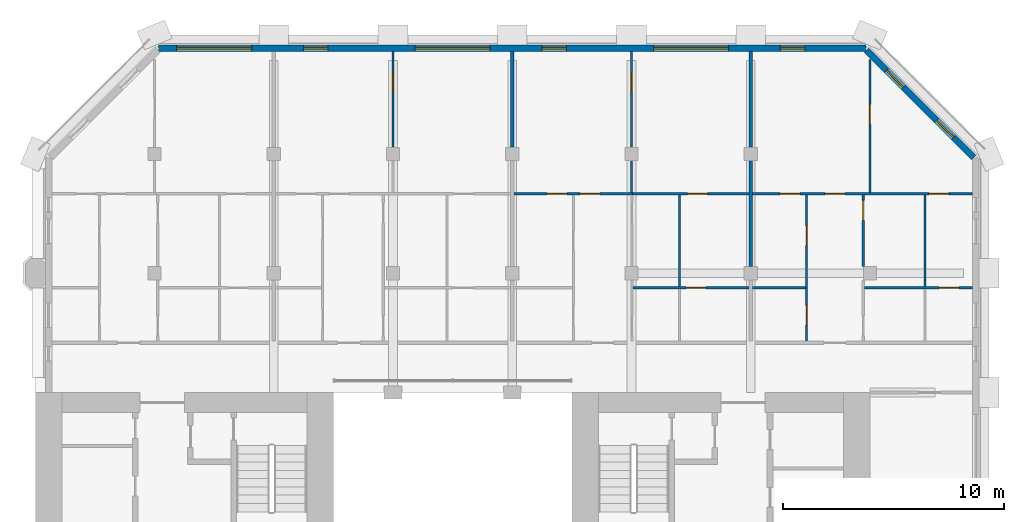
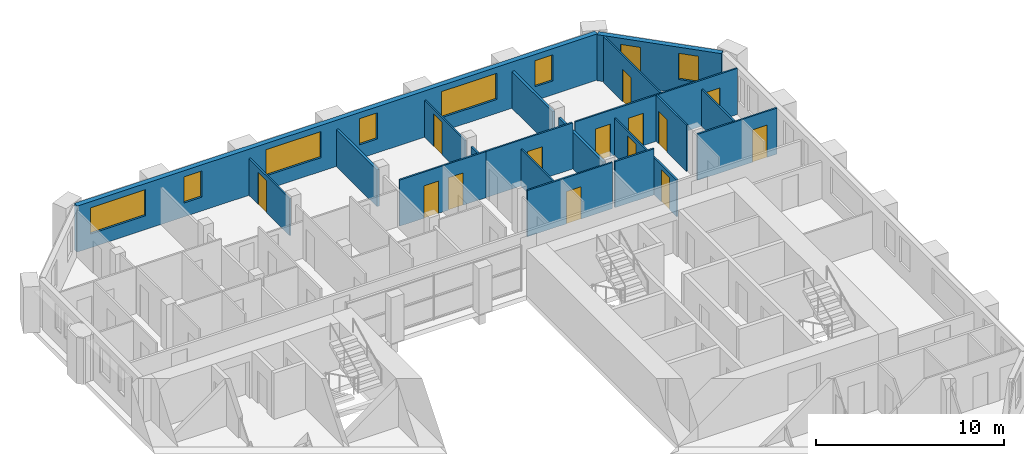
# One storey, part 9 of 13: 19 walls, 14 doors, 8 windows, 22 openings.
"""IFC4 building model written with IfcOpenShell, lengths in metres."""

from ifc_helpers import new_model, si_unit, direction, frame, frame_2d, origin, place, context, subcontext, project, spatial, rectangle, extrude, material, layer, layer_set, type_object, element, fill, save


model = new_model("IFC4")

# Units and contexts
model_context = context("Model", 3, precision=1e-05, world=origin(), true_north=direction((0.0, 1.0)))
body_context = subcontext(model_context, "Body", "Model", "MODEL_VIEW")
ifc_project = project(units=[si_unit("LENGTHUNIT", "METRE"), si_unit("AREAUNIT", "SQUARE_METRE"), si_unit("VOLUMEUNIT", "CUBIC_METRE"), si_unit("PLANEANGLEUNIT", "RADIAN"), si_unit("MASSUNIT", "GRAM", prefix="KILO")], contexts=[model_context])

# Site, building, storey
site_placement = place(None, origin())
site = spatial("IfcSite", under=ifc_project, at=site_placement, CompositionType="ELEMENT")
building_placement = place(site_placement, origin())
building = spatial("IfcBuilding", under=site, at=building_placement, Name="Tabaq Tower and Sports Hall", CompositionType="ELEMENT")
storey_placement = place(building_placement, frame((0.0, 0.0, 291.699951171875)))
storey = spatial("IfcBuildingStorey", under=building, at=storey_placement, Name="L72", CompositionType="ELEMENT", Elevation=291.699951171875)

# Wall, opening, door
ifc_material_1 = material(Name="Gypsum board on steel studs", Category="steel")
ifc_layer_1 = layer(ifc_material_1, 0.10009765625)
ifc_layer_set_1 = layer_set([ifc_layer_1], Name="Partition 100 Gypsum board")
wall_type_1 = type_object("IfcWallType", Name="Partition 100 Gypsum board", PredefinedType="PARTITIONING", material=ifc_layer_set_1)
wall_1_placement = place(storey_placement, frame((21.60009765625, 43.52001953125, 0.0), z_axis=(0.0, 0.0, 1.0), x_axis=(0.0, 1.0, 0.0)))
wall_1 = element("IfcWall", 1, at=wall_1_placement, inside=storey, type_object=wall_type_1, Name="Partition wall L72", PredefinedType="PARTITIONING", context=body_context, shape_type="SweptSolid", body=[
    extrude(rectangle(XDim=4.3291015625, YDim=0.10009765625, at=frame_2d((2.16455078125, 0.0))), origin(), (0.0, 0.0, 1.0), 2.400146484375),
])
opening_1_placement = place(wall_1_placement, frame((2.455078125, 0.0, 0.0)))
opening_1 = element("IfcOpeningElement", 2, at=opening_1_placement, cuts=wall_1, Name="Opening L72-035", PredefinedType="OPENING", context=body_context, shape_type="SweptSolid", body=[
    extrude(rectangle(XDim=0.89990234375, YDim=2.10009765625, at=frame_2d((0.449951171875, 1.050048828125))), frame((0.0, 0.050048828125, 0.0), z_axis=(0.0, -1.0, 0.0), x_axis=(1.0, 0.0, 0.0)), (0.0, 0.0, 1.0), 0.10009765625),
])
ifc_material_2 = material(Name="Timber leaf in steel frame", Category="steel")
door_type_1 = type_object("IfcDoorType", Name="Internal door 900 left hand", OperationType="SINGLE_SWING_LEFT", PredefinedType="DOOR", material=ifc_material_2)
door_1_placement = place(opening_1_placement, origin())
door_1 = element("IfcDoor", 3, at=door_1_placement, inside=storey, type_object=door_type_1, Name="Internal door L72-035", OperationType="SINGLE_SWING_LEFT", OverallHeight=2.10009765625, OverallWidth=0.89990234375, PredefinedType="DOOR", context=body_context, shape_type="SweptSolid", body=[
    extrude(rectangle(XDim=0.89990234375, YDim=2.10009765625, at=frame_2d((0.449951171875, 1.050048828125))), frame((0.0, 0.02490234375, 0.0), z_axis=(0.0, -1.0, 0.0), x_axis=(1.0, 0.0, 0.0)), (0.0, 0.0, 1.0), 0.050048828125),
])
fill(opening_1, door_1)

# Wall, openings, doors
wall_2_placement = place(storey_placement, frame((27.074951171875, 41.39990234375, 0.0), z_axis=(0.0, 0.0, 1.0), x_axis=(1.0, 0.0, 0.0)))
wall_2 = element("IfcWall", 4, at=wall_2_placement, inside=storey, type_object=wall_type_1, Name="Partition wall L72", PredefinedType="PARTITIONING", context=body_context, shape_type="SweptSolid", body=[
    extrude(rectangle(XDim=5.375, YDim=0.10009765625, at=frame_2d((2.6875, 0.0))), origin(), (0.0, 0.0, 1.0), 3.0),
])
opening_2_placement = place(wall_2_placement, frame((1.4951171875, 0.0, 0.0)))
opening_2 = element("IfcOpeningElement", 5, at=opening_2_placement, cuts=wall_2, Name="Opening L72-040", PredefinedType="OPENING", context=body_context, shape_type="SweptSolid", body=[
    extrude(rectangle(XDim=0.89990234375, YDim=2.10009765625, at=frame_2d((0.449951171875, 1.050048828125))), frame((0.0, 0.050048828125, 0.0), z_axis=(0.0, -1.0, 0.0), x_axis=(1.0, 0.0, 0.0)), (0.0, 0.0, 1.0), 0.10009765625),
])
opening_3_placement = place(wall_2_placement, frame((2.9951171875, 0.0, 0.0)))
opening_3 = element("IfcOpeningElement", 6, at=opening_3_placement, cuts=wall_2, Name="Opening L72-054", PredefinedType="OPENING", context=body_context, shape_type="SweptSolid", body=[
    extrude(rectangle(XDim=0.89990234375, YDim=2.10009765625, at=frame_2d((0.449951171875, 1.050048828125))), frame((0.0, 0.050048828125, 0.0), z_axis=(0.0, -1.0, 0.0), x_axis=(1.0, 0.0, 0.0)), (0.0, 0.0, 1.0), 0.10009765625),
])
door_2_placement = place(opening_2_placement, origin())
door_2 = element("IfcDoor", 7, at=door_2_placement, inside=storey, type_object=door_type_1, Name="Internal door L72-040", OperationType="SINGLE_SWING_LEFT", OverallHeight=2.10009765625, OverallWidth=0.89990234375, PredefinedType="DOOR", context=body_context, shape_type="SweptSolid", body=[
    extrude(rectangle(XDim=0.89990234375, YDim=2.10009765625, at=frame_2d((0.449951171875, 1.050048828125))), frame((0.0, 0.02490234375, 0.0), z_axis=(0.0, -1.0, 0.0), x_axis=(1.0, 0.0, 0.0)), (0.0, 0.0, 1.0), 0.050048828125),
])
fill(opening_2, door_2)
ifc_material_3 = material(Name="Timber leaf in steel frame", Category="steel")
door_type_2 = type_object("IfcDoorType", Name="Internal door 900 right hand", OperationType="SINGLE_SWING_RIGHT", PredefinedType="DOOR", material=ifc_material_3)
door_3_placement = place(opening_3_placement, origin())
door_3 = element("IfcDoor", 8, at=door_3_placement, inside=storey, type_object=door_type_2, Name="Internal door L72-054", OperationType="SINGLE_SWING_RIGHT", OverallHeight=2.10009765625, OverallWidth=0.89990234375, PredefinedType="DOOR", context=body_context, shape_type="SweptSolid", body=[
    extrude(rectangle(XDim=0.89990234375, YDim=2.10009765625, at=frame_2d((0.449951171875, 1.050048828125))), frame((0.0, 0.02490234375, 0.0), z_axis=(0.0, -1.0, 0.0), x_axis=(1.0, 0.0, 0.0)), (0.0, 0.0, 1.0), 0.050048828125),
])
fill(opening_3, door_3)

# Wall
wall_3_placement = place(storey_placement, frame((32.39990234375, 41.449951171875, 0.0), z_axis=(0.0, 0.0, 1.0), x_axis=(0.0, 1.0, 0.0)))
element("IfcWall", 9, at=wall_3_placement, inside=storey, type_object=wall_type_1, Name="Partition wall L72", PredefinedType="PARTITIONING", context=body_context, shape_type="SweptSolid", body=[
    extrude(rectangle(XDim=1.429931640625, YDim=0.10009765625, at=frame_2d((0.71484375, 0.0))), origin(), (0.0, 0.0, 1.0), 2.400146484375),
])

# Wall, opening, door
wall_4_placement = place(storey_placement, frame((32.39990234375, 43.52001953125, 0.0), z_axis=(0.0, 0.0, 1.0), x_axis=(0.0, 1.0, 0.0)))
wall_4 = element("IfcWall", 10, at=wall_4_placement, inside=storey, type_object=wall_type_1, Name="Partition wall L72", PredefinedType="PARTITIONING", context=body_context, shape_type="SweptSolid", body=[
    extrude(rectangle(XDim=4.3291015625, YDim=0.10009765625, at=frame_2d((2.16455078125, 0.0))), origin(), (0.0, 0.0, 1.0), 2.400146484375),
])
opening_4_placement = place(wall_4_placement, frame((2.455078125, 0.0, 0.0)))
opening_4 = element("IfcOpeningElement", 11, at=opening_4_placement, cuts=wall_4, Name="Opening L72-039", PredefinedType="OPENING", context=body_context, shape_type="SweptSolid", body=[
    extrude(rectangle(XDim=0.89990234375, YDim=2.10009765625, at=frame_2d((0.449951171875, 1.050048828125))), frame((0.0, 0.050048828125, 0.0), z_axis=(0.0, -1.0, 0.0), x_axis=(1.0, 0.0, 0.0)), (0.0, 0.0, 1.0), 0.10009765625),
])
door_4_placement = place(opening_4_placement, origin())
door_4 = element("IfcDoor", 12, at=door_4_placement, inside=storey, type_object=door_type_2, Name="Internal door L72-039", OperationType="SINGLE_SWING_RIGHT", OverallHeight=2.10009765625, OverallWidth=0.89990234375, PredefinedType="DOOR", context=body_context, shape_type="SweptSolid", body=[
    extrude(rectangle(XDim=0.89990234375, YDim=2.10009765625, at=frame_2d((0.449951171875, 1.050048828125))), frame((0.0, 0.02490234375, 0.0), z_axis=(0.0, -1.0, 0.0), x_axis=(1.0, 0.0, 0.0)), (0.0, 0.0, 1.0), 0.050048828125),
])
fill(opening_4, door_4)

wall_5_placement = place(storey_placement, frame((32.3701171875, 41.39990234375, 0.0), z_axis=(0.0, 0.0, 1.0), x_axis=(1.0, 0.0, 0.0)))
wall_5 = element("IfcWall", 13, at=wall_5_placement, inside=storey, type_object=wall_type_1, Name="Partition wall L72", PredefinedType="PARTITIONING", context=body_context, shape_type="SweptSolid", body=[
    extrude(rectangle(XDim=5.35498046875, YDim=0.10009765625, at=frame_2d((2.677490234375, 0.0))), origin(), (0.0, 0.0, 1.0), 3.0),
])
opening_5_placement = place(wall_5_placement, frame((2.577880859375, 0.0, 0.0)))
opening_5 = element("IfcOpeningElement", 14, at=opening_5_placement, cuts=wall_5, Name="Opening L72-041", PredefinedType="OPENING", context=body_context, shape_type="SweptSolid", body=[
    extrude(rectangle(XDim=0.89990234375, YDim=2.10009765625, at=frame_2d((0.449951171875, 1.050048828125))), frame((0.0, 0.050048828125, 0.0), z_axis=(0.0, -1.0, 0.0), x_axis=(1.0, 0.0, 0.0)), (0.0, 0.0, 1.0), 0.10009765625),
])
door_5_placement = place(opening_5_placement, origin())
door_5 = element("IfcDoor", 15, at=door_5_placement, inside=storey, type_object=door_type_2, Name="Internal door L72-041", OperationType="SINGLE_SWING_RIGHT", OverallHeight=2.10009765625, OverallWidth=0.89990234375, PredefinedType="DOOR", context=body_context, shape_type="SweptSolid", body=[
    extrude(rectangle(XDim=0.89990234375, YDim=2.10009765625, at=frame_2d((0.449951171875, 1.050048828125))), frame((0.0, 0.02490234375, 0.0), z_axis=(0.0, -1.0, 0.0), x_axis=(1.0, 0.0, 0.0)), (0.0, 0.0, 1.0), 0.050048828125),
])
fill(opening_5, door_5)

# Wall
wall_6_placement = place(storey_placement, frame((34.575927734375, 37.199951171875, 0.0), z_axis=(0.0, 0.0, 1.0), x_axis=(0.0, 1.0, 0.0)))
element("IfcWall", 16, at=wall_6_placement, inside=storey, type_object=wall_type_1, Name="Partition wall L72", PredefinedType="PARTITIONING", context=body_context, shape_type="SweptSolid", body=[
    extrude(rectangle(XDim=4.150146484375, YDim=0.10009765625, at=frame_2d((2.0751953125, 0.0))), origin(), (0.0, 0.0, 1.0), 2.400146484375),
])

# Wall, opening, door
wall_7_placement = place(storey_placement, frame((32.469970703125, 37.14990234375, 0.0), z_axis=(0.0, 0.0, 1.0), x_axis=(1.0, 0.0, 0.0)))
wall_7 = element("IfcWall", 17, at=wall_7_placement, inside=storey, type_object=wall_type_1, Name="Partition wall L72", PredefinedType="PARTITIONING", context=body_context, shape_type="SweptSolid", body=[
    extrude(rectangle(XDim=5.255126953125, YDim=0.10009765625, at=frame_2d((2.62744140625, 0.0))), origin(), (0.0, 0.0, 1.0), 3.0),
])
opening_6_placement = place(wall_7_placement, frame((2.406005859375, 0.0, 0.0)))
opening_6 = element("IfcOpeningElement", 18, at=opening_6_placement, cuts=wall_7, Name="Opening L72-012", PredefinedType="OPENING", context=body_context, shape_type="SweptSolid", body=[
    extrude(rectangle(XDim=0.89990234375, YDim=2.10009765625, at=frame_2d((0.449951171875, 1.050048828125))), frame((0.0, 0.050048828125, 0.0), z_axis=(0.0, -1.0, 0.0), x_axis=(1.0, 0.0, 0.0)), (0.0, 0.0, 1.0), 0.10009765625),
])
door_6_placement = place(opening_6_placement, origin())
door_6 = element("IfcDoor", 19, at=door_6_placement, inside=storey, type_object=door_type_2, Name="Internal door L72-012", OperationType="SINGLE_SWING_RIGHT", OverallHeight=2.10009765625, OverallWidth=0.89990234375, PredefinedType="DOOR", context=body_context, shape_type="SweptSolid", body=[
    extrude(rectangle(XDim=0.89990234375, YDim=2.10009765625, at=frame_2d((0.449951171875, 1.050048828125))), frame((0.0, 0.02490234375, 0.0), z_axis=(0.0, -1.0, 0.0), x_axis=(1.0, 0.0, 0.0)), (0.0, 0.0, 1.0), 0.050048828125),
])
fill(opening_6, door_6)

wall_8_placement = place(storey_placement, frame((43.199951171875, 41.449951171875, 0.0), z_axis=(0.0, 0.0, 1.0), x_axis=(0.0, 1.0, 0.0)))
wall_8 = element("IfcWall", 20, at=wall_8_placement, inside=storey, type_object=wall_type_1, Name="Partition wall L72", PredefinedType="PARTITIONING", context=body_context, shape_type="SweptSolid", body=[
    extrude(rectangle(XDim=6.037841796875, YDim=0.10009765625, at=frame_2d((3.01904296875, 0.0))), origin(), (0.0, 0.0, 1.0), 3.0),
])
opening_7_placement = place(wall_8_placement, frame((3.10009765625, 0.0, 0.0)))
opening_7 = element("IfcOpeningElement", 21, at=opening_7_placement, cuts=wall_8, Name="Opening L72-043", PredefinedType="OPENING", context=body_context, shape_type="SweptSolid", body=[
    extrude(rectangle(XDim=0.89990234375, YDim=2.10009765625, at=frame_2d((0.449951171875, 1.050048828125))), frame((0.0, 0.050048828125, 0.0), z_axis=(0.0, -1.0, 0.0), x_axis=(1.0, 0.0, 0.0)), (0.0, 0.0, 1.0), 0.10009765625),
])
door_7_placement = place(opening_7_placement, origin())
door_7 = element("IfcDoor", 22, at=door_7_placement, inside=storey, type_object=door_type_2, Name="Internal door L72-043", OperationType="SINGLE_SWING_RIGHT", OverallHeight=2.10009765625, OverallWidth=0.89990234375, PredefinedType="DOOR", context=body_context, shape_type="SweptSolid", body=[
    extrude(rectangle(XDim=0.89990234375, YDim=2.10009765625, at=frame_2d((0.449951171875, 1.050048828125))), frame((0.0, 0.02490234375, 0.0), z_axis=(0.0, -1.0, 0.0), x_axis=(1.0, 0.0, 0.0)), (0.0, 0.0, 1.0), 0.050048828125),
])
fill(opening_7, door_7)

# Wall, openings, doors
wall_9_placement = place(storey_placement, frame((37.875, 41.39990234375, 0.0), z_axis=(0.0, 0.0, 1.0), x_axis=(1.0, 0.0, 0.0)))
wall_9 = element("IfcWall", 23, at=wall_9_placement, inside=storey, type_object=wall_type_1, Name="Partition wall L72", PredefinedType="PARTITIONING", context=body_context, shape_type="SweptSolid", body=[
    extrude(rectangle(XDim=9.97412109375, YDim=0.10009765625, at=frame_2d((4.987060546875, 0.0))), origin(), (0.0, 0.0, 1.0), 3.0),
])
opening_8_placement = place(wall_9_placement, frame((1.256103515625, 0.0, 0.0)))
opening_8 = element("IfcOpeningElement", 24, at=opening_8_placement, cuts=wall_9, Name="Opening L72-044", PredefinedType="OPENING", context=body_context, shape_type="SweptSolid", body=[
    extrude(rectangle(XDim=0.89990234375, YDim=2.10009765625, at=frame_2d((0.449951171875, 1.050048828125))), frame((0.0, 0.050048828125, 0.0), z_axis=(0.0, -1.0, 0.0), x_axis=(1.0, 0.0, 0.0)), (0.0, 0.0, 1.0), 0.10009765625),
])
opening_9_placement = place(wall_9_placement, frame((7.9951171875, 0.0, 0.0)))
opening_9 = element("IfcOpeningElement", 25, at=opening_9_placement, cuts=wall_9, Name="Opening L72-045", PredefinedType="OPENING", context=body_context, shape_type="SweptSolid", body=[
    extrude(rectangle(XDim=0.89990234375, YDim=2.10009765625, at=frame_2d((0.449951171875, 1.050048828125))), frame((0.0, 0.050048828125, 0.0), z_axis=(0.0, -1.0, 0.0), x_axis=(1.0, 0.0, 0.0)), (0.0, 0.0, 1.0), 0.10009765625),
])
opening_10_placement = place(wall_9_placement, frame((3.2900390625, 0.0, 0.0)))
opening_10 = element("IfcOpeningElement", 26, at=opening_10_placement, cuts=wall_9, Name="Opening L72-055", PredefinedType="OPENING", context=body_context, shape_type="SweptSolid", body=[
    extrude(rectangle(XDim=0.89990234375, YDim=2.10009765625, at=frame_2d((0.449951171875, 1.050048828125))), frame((0.0, 0.050048828125, 0.0), z_axis=(0.0, -1.0, 0.0), x_axis=(1.0, 0.0, 0.0)), (0.0, 0.0, 1.0), 0.10009765625),
])
door_8_placement = place(opening_9_placement, origin())
door_8 = element("IfcDoor", 27, at=door_8_placement, inside=storey, type_object=door_type_1, Name="Internal door L72-045", OperationType="SINGLE_SWING_LEFT", OverallHeight=2.10009765625, OverallWidth=0.89990234375, PredefinedType="DOOR", context=body_context, shape_type="SweptSolid", body=[
    extrude(rectangle(XDim=0.89990234375, YDim=2.10009765625, at=frame_2d((0.449951171875, 1.050048828125))), frame((0.0, 0.02490234375, 0.0), z_axis=(0.0, -1.0, 0.0), x_axis=(1.0, 0.0, 0.0)), (0.0, 0.0, 1.0), 0.050048828125),
])
fill(opening_9, door_8)
door_9_placement = place(opening_10_placement, origin())
door_9 = element("IfcDoor", 28, at=door_9_placement, inside=storey, type_object=door_type_1, Name="Internal door L72-055", OperationType="SINGLE_SWING_LEFT", OverallHeight=2.10009765625, OverallWidth=0.89990234375, PredefinedType="DOOR", context=body_context, shape_type="SweptSolid", body=[
    extrude(rectangle(XDim=0.89990234375, YDim=2.10009765625, at=frame_2d((0.449951171875, 1.050048828125))), frame((0.0, 0.02490234375, 0.0), z_axis=(0.0, -1.0, 0.0), x_axis=(1.0, 0.0, 0.0)), (0.0, 0.0, 1.0), 0.050048828125),
])
fill(opening_10, door_9)
door_10_placement = place(opening_8_placement, origin())
door_10 = element("IfcDoor", 29, at=door_10_placement, inside=storey, type_object=door_type_2, Name="Internal door L72-044", OperationType="SINGLE_SWING_RIGHT", OverallHeight=2.10009765625, OverallWidth=0.89990234375, PredefinedType="DOOR", context=body_context, shape_type="SweptSolid", body=[
    extrude(rectangle(XDim=0.89990234375, YDim=2.10009765625, at=frame_2d((0.449951171875, 1.050048828125))), frame((0.0, 0.02490234375, 0.0), z_axis=(0.0, -1.0, 0.0), x_axis=(1.0, 0.0, 0.0)), (0.0, 0.0, 1.0), 0.050048828125),
])
fill(opening_8, door_10)

# Wall
wall_10_placement = place(storey_placement, frame((37.875, 37.14990234375, 0.0), z_axis=(0.0, 0.0, 1.0), x_axis=(1.0, 0.0, 0.0)))
element("IfcWall", 30, at=wall_10_placement, inside=storey, type_object=wall_type_1, Name="Partition wall L72", PredefinedType="PARTITIONING", context=body_context, shape_type="SweptSolid", body=[
    extrude(rectangle(XDim=2.406005859375, YDim=0.10009765625, at=frame_2d((1.203125, 0.0))), origin(), (0.0, 0.0, 1.0), 3.0),
])

# Wall, openings, doors
wall_11_placement = place(storey_placement, frame((40.3310546875, 34.72509765625, 0.0), z_axis=(0.0, 0.0, 1.0), x_axis=(0.0, 1.0, 0.0)))
wall_11 = element("IfcWall", 31, at=wall_11_placement, inside=storey, type_object=wall_type_1, Name="Partition wall L72", PredefinedType="PARTITIONING", context=body_context, shape_type="SweptSolid", body=[
    extrude(rectangle(XDim=6.625, YDim=0.10009765625, at=frame_2d((3.3125, 0.0))), origin(), (0.0, 0.0, 1.0), 2.400146484375),
])
opening_11_placement = place(wall_11_placement, frame((0.72509765625, 0.0, 0.0)))
opening_11 = element("IfcOpeningElement", 32, at=opening_11_placement, cuts=wall_11, Name="Opening L72-013", PredefinedType="OPENING", context=body_context, shape_type="SweptSolid", body=[
    extrude(rectangle(XDim=0.89990234375, YDim=2.10009765625, at=frame_2d((0.449951171875, 1.050048828125))), frame((0.0, 0.050048828125, 0.0), z_axis=(0.0, -1.0, 0.0), x_axis=(1.0, 0.0, 0.0)), (0.0, 0.0, 1.0), 0.10009765625),
])
opening_12_placement = place(wall_11_placement, frame((4.3291015625, 0.0, 0.0)))
opening_12 = element("IfcOpeningElement", 33, at=opening_12_placement, cuts=wall_11, Name="Opening L72-046", PredefinedType="OPENING", context=body_context, shape_type="SweptSolid", body=[
    extrude(rectangle(XDim=0.89990234375, YDim=2.10009765625, at=frame_2d((0.449951171875, 1.050048828125))), frame((0.0, 0.050048828125, 0.0), z_axis=(0.0, -1.0, 0.0), x_axis=(1.0, 0.0, 0.0)), (0.0, 0.0, 1.0), 0.10009765625),
])
door_11_placement = place(opening_12_placement, origin())
door_11 = element("IfcDoor", 34, at=door_11_placement, inside=storey, type_object=door_type_1, Name="Internal door L72-046", OperationType="SINGLE_SWING_LEFT", OverallHeight=2.10009765625, OverallWidth=0.89990234375, PredefinedType="DOOR", context=body_context, shape_type="SweptSolid", body=[
    extrude(rectangle(XDim=0.89990234375, YDim=2.10009765625, at=frame_2d((0.449951171875, 1.050048828125))), frame((0.0, 0.02490234375, 0.0), z_axis=(0.0, -1.0, 0.0), x_axis=(1.0, 0.0, 0.0)), (0.0, 0.0, 1.0), 0.050048828125),
])
fill(opening_12, door_11)
door_12_placement = place(opening_11_placement, origin())
door_12 = element("IfcDoor", 35, at=door_12_placement, inside=storey, type_object=door_type_2, Name="Internal door L72-013", OperationType="SINGLE_SWING_RIGHT", OverallHeight=2.10009765625, OverallWidth=0.89990234375, PredefinedType="DOOR", context=body_context, shape_type="SweptSolid", body=[
    extrude(rectangle(XDim=0.89990234375, YDim=2.10009765625, at=frame_2d((0.449951171875, 1.050048828125))), frame((0.0, 0.02490234375, 0.0), z_axis=(0.0, -1.0, 0.0), x_axis=(1.0, 0.0, 0.0)), (0.0, 0.0, 1.0), 0.050048828125),
])
fill(opening_11, door_12)

# Wall, opening, door
wall_12_placement = place(storey_placement, frame((42.89990234375, 38.1201171875, 0.0), z_axis=(0.0, 0.0, 1.0), x_axis=(0.0, 1.0, 0.0)))
wall_12 = element("IfcWall", 36, at=wall_12_placement, inside=storey, type_object=wall_type_1, Name="Partition wall L72", PredefinedType="PARTITIONING", context=body_context, shape_type="SweptSolid", body=[
    extrude(rectangle(XDim=3.22998046875, YDim=0.10009765625, at=frame_2d((1.614990234375, 0.0))), origin(), (0.0, 0.0, 1.0), 3.0),
])
opening_13_placement = place(wall_12_placement, frame((2.080078125, 0.0, 0.0)))
opening_13 = element("IfcOpeningElement", 37, at=opening_13_placement, cuts=wall_12, Name="Opening L72-014", PredefinedType="OPENING", context=body_context, shape_type="SweptSolid", body=[
    extrude(rectangle(XDim=0.89990234375, YDim=2.10009765625, at=frame_2d((0.449951171875, 1.050048828125))), frame((0.0, 0.050048828125, 0.0), z_axis=(0.0, -1.0, 0.0), x_axis=(1.0, 0.0, 0.0)), (0.0, 0.0, 1.0), 0.10009765625),
])
door_13_placement = place(opening_13_placement, origin())
door_13 = element("IfcDoor", 38, at=door_13_placement, inside=storey, type_object=door_type_1, Name="Internal door L72-014", OperationType="SINGLE_SWING_LEFT", OverallHeight=2.10009765625, OverallWidth=0.89990234375, PredefinedType="DOOR", context=body_context, shape_type="SweptSolid", body=[
    extrude(rectangle(XDim=0.89990234375, YDim=2.10009765625, at=frame_2d((0.449951171875, 1.050048828125))), frame((0.0, 0.02490234375, 0.0), z_axis=(0.0, -1.0, 0.0), x_axis=(1.0, 0.0, 0.0)), (0.0, 0.0, 1.0), 0.050048828125),
])
fill(opening_13, door_13)

# Wall
wall_13_placement = place(storey_placement, frame((45.699951171875, 37.199951171875, 0.0), z_axis=(0.0, 0.0, 1.0), x_axis=(0.0, 1.0, 0.0)))
element("IfcWall", 39, at=wall_13_placement, inside=storey, type_object=wall_type_1, Name="Partition wall L72", PredefinedType="PARTITIONING", context=body_context, shape_type="SweptSolid", body=[
    extrude(rectangle(XDim=4.150146484375, YDim=0.10009765625, at=frame_2d((2.0751953125, 0.0))), origin(), (0.0, 0.0, 1.0), 2.400146484375),
])

# Wall, opening, door
wall_14_placement = place(storey_placement, frame((42.949951171875, 37.14990234375, 0.0), z_axis=(0.0, 0.0, 1.0), x_axis=(1.0, 0.0, 0.0)))
wall_14 = element("IfcWall", 40, at=wall_14_placement, inside=storey, type_object=wall_type_1, Name="Partition wall L72", PredefinedType="PARTITIONING", context=body_context, shape_type="SweptSolid", body=[
    extrude(rectangle(XDim=4.899169921875, YDim=0.10009765625, at=frame_2d((2.44970703125, 0.0))), origin(), (0.0, 0.0, 1.0), 3.0),
])
opening_14_placement = place(wall_14_placement, frame((3.3759765625, 0.0, 0.0)))
opening_14 = element("IfcOpeningElement", 41, at=opening_14_placement, cuts=wall_14, Name="Opening L72-016", PredefinedType="OPENING", context=body_context, shape_type="SweptSolid", body=[
    extrude(rectangle(XDim=0.89990234375, YDim=2.10009765625, at=frame_2d((0.449951171875, 1.050048828125))), frame((0.0, 0.050048828125, 0.0), z_axis=(0.0, -1.0, 0.0), x_axis=(1.0, 0.0, 0.0)), (0.0, 0.0, 1.0), 0.10009765625),
])
door_14_placement = place(opening_14_placement, origin())
door_14 = element("IfcDoor", 42, at=door_14_placement, inside=storey, type_object=door_type_1, Name="Internal door L72-016", OperationType="SINGLE_SWING_LEFT", OverallHeight=2.10009765625, OverallWidth=0.89990234375, PredefinedType="DOOR", context=body_context, shape_type="SweptSolid", body=[
    extrude(rectangle(XDim=0.89990234375, YDim=2.10009765625, at=frame_2d((0.449951171875, 1.050048828125))), frame((0.0, 0.02490234375, 0.0), z_axis=(0.0, -1.0, 0.0), x_axis=(1.0, 0.0, 0.0)), (0.0, 0.0, 1.0), 0.050048828125),
])
fill(opening_14, door_14)

# Walls
ifc_material_4 = material(Name="Blockwork", Category="masonry")
ifc_layer_2 = layer(ifc_material_4, 0.14990234375)
ifc_layer_set_2 = layer_set([ifc_layer_2], Name="Separating wall 150 Blockwork")
wall_type_2 = type_object("IfcWallType", Name="Separating wall 150 Blockwork", PredefinedType="PARTITIONING", material=ifc_layer_set_2)
for number, where, z_axis, x_axis, name in (
    (43, (27.0, 43.52001953125, 0.0), (0.0, 0.0, 1.0), (0.0, 1.0, 0.0), "Separating wall L72"),
    (44, (37.800048828125, 43.52001953125, 0.0), (0.0, 0.0, 1.0), (0.0, 1.0, 0.0), "Separating wall L72"),
):
    element("IfcWall", number, at=place(storey_placement, frame(where, z_axis=z_axis, x_axis=x_axis)), inside=storey, type_object=wall_type_2, Name=name, PredefinedType="PARTITIONING", context=body_context, shape_type="SweptSolid", body=[
        extrude(rectangle(XDim=4.3291015625, YDim=0.14990234375, at=frame_2d((2.16455078125, 0.0))), origin(), (0.0, 0.0, 1.0), 2.400146484375),
    ])
wall_15_placement = place(storey_placement, frame((37.800048828125, 38.1201171875, 0.0), z_axis=(0.0, 0.0, 1.0), x_axis=(0.0, 1.0, 0.0)))
element("IfcWall", 45, at=wall_15_placement, inside=storey, type_object=wall_type_2, Name="Separating wall L72", PredefinedType="PARTITIONING", context=body_context, shape_type="SweptSolid", body=[
    extrude(rectangle(XDim=4.759765625, YDim=0.14990234375, at=frame_2d((2.3798828125, 0.0))), origin(), (0.0, 0.0, 1.0), 2.400146484375),
])

# Wall, openings, windows
ifc_material_5 = material(Name="White precast concrete C60/75", Category="concrete")
ifc_layer_3 = layer(ifc_material_5, 0.300048828125)
ifc_layer_set_3 = layer_set([ifc_layer_3], Name="White precast concrete C60/75 external wall 300")
wall_type_3 = type_object("IfcWallType", Name="White precast concrete C60/75 external wall 300", PredefinedType="SOLIDWALL", material=ifc_layer_set_3)
wall_16_placement = place(storey_placement, frame((47.901123046875, 43.050537109375, 0.0), z_axis=(0.0, 0.0, 1.0), x_axis=(-0.707106781187, 0.707106781187, 0.0)))
wall_16 = element("IfcWall", 46, at=wall_16_placement, inside=storey, type_object=wall_type_3, Name="External Wall L72 NE", PredefinedType="SOLIDWALL", context=body_context, shape_type="SweptSolid", body=[
    extrude(rectangle(XDim=6.85986328125, YDim=0.300048828125, at=frame_2d((3.429931640625, 0.0))), origin(), (0.0, 0.0, 1.0), 3.0),
])
opening_15_placement = place(wall_16_placement, frame((1.27978515625, 0.0, 0.89990234375)))
opening_15 = element("IfcOpeningElement", 47, at=opening_15_placement, cuts=wall_16, Name="Opening W1B", PredefinedType="OPENING", context=body_context, shape_type="SweptSolid", body=[
    extrude(rectangle(XDim=1.10009765625, YDim=1.699951171875, at=frame_2d((0.550048828125, 0.85009765625))), frame((0.0, 0.16015625, 0.0), z_axis=(0.0, -1.0, 0.0), x_axis=(1.0, 0.0, 0.0)), (0.0, 0.0, 1.0), 0.320068359375),
])
opening_16_placement = place(wall_16_placement, frame((4.479736328125, 0.0, 0.89990234375)))
opening_16 = element("IfcOpeningElement", 48, at=opening_16_placement, cuts=wall_16, Name="Opening W1B", PredefinedType="OPENING", context=body_context, shape_type="SweptSolid", body=[
    extrude(rectangle(XDim=1.10009765625, YDim=1.699951171875, at=frame_2d((0.550048828125, 0.85009765625))), frame((0.0, 0.16015625, 0.0), z_axis=(0.0, -1.0, 0.0), x_axis=(1.0, 0.0, 0.0)), (0.0, 0.0, 1.0), 0.320068359375),
])
ifc_material_6 = material(Name="Aluminium framed clear glazing", Category="aluminium")
window_type_1 = type_object("IfcWindowType", Name="Window W1B", PartitioningType="SINGLE_PANEL", PredefinedType="WINDOW", material=ifc_material_6)
window_1_placement = place(opening_15_placement, origin())
window_1 = element("IfcWindow", 49, at=window_1_placement, inside=storey, type_object=window_type_1, Name="Window W1B L72", OverallHeight=1.699951171875, OverallWidth=1.10009765625, PartitioningType="SINGLE_PANEL", PredefinedType="WINDOW", context=body_context, shape_type="SweptSolid", body=[
    extrude(rectangle(XDim=1.10009765625, YDim=1.699951171875, at=frame_2d((0.550048828125, 0.85009765625))), frame((0.0, 0.030029296875, 0.0), z_axis=(0.0, -1.0, 0.0), x_axis=(1.0, 0.0, 0.0)), (0.0, 0.0, 1.0), 0.06005859375),
])
fill(opening_15, window_1)
window_2_placement = place(opening_16_placement, origin())
window_2 = element("IfcWindow", 50, at=window_2_placement, inside=storey, type_object=window_type_1, Name="Window W1B L72", OverallHeight=1.699951171875, OverallWidth=1.10009765625, PartitioningType="SINGLE_PANEL", PredefinedType="WINDOW", context=body_context, shape_type="SweptSolid", body=[
    extrude(rectangle(XDim=1.10009765625, YDim=1.699951171875, at=frame_2d((0.550048828125, 0.85009765625))), frame((0.0, 0.030029296875, 0.0), z_axis=(0.0, -1.0, 0.0), x_axis=(1.0, 0.0, 0.0)), (0.0, 0.0, 1.0), 0.06005859375),
])
fill(opening_16, window_2)

wall_17_placement = place(storey_placement, frame((43.013671875, 48.0, 0.0), z_axis=(0.0, 0.0, 1.0), x_axis=(-1.0, 0.0, 0.0)))
wall_17 = element("IfcWall", 51, at=wall_17_placement, inside=storey, type_object=wall_type_3, Name="External Wall L72 N", PredefinedType="SOLIDWALL", context=body_context, shape_type="SweptSolid", body=[
    extrude(rectangle(XDim=32.02734375, YDim=0.300048828125, at=frame_2d((16.013671875, 0.0))), origin(), (0.0, 0.0, 1.0), 3.0),
])
opening_17_placement = place(wall_17_placement, frame((2.763671875, 0.0, 0.89990234375)))
opening_17 = element("IfcOpeningElement", 52, at=opening_17_placement, cuts=wall_17, Name="Opening W1B", PredefinedType="OPENING", context=body_context, shape_type="SweptSolid", body=[
    extrude(rectangle(XDim=1.10009765625, YDim=1.699951171875, at=frame_2d((0.550048828125, 0.85009765625))), frame((0.0, 0.16015625, 0.0), z_axis=(0.0, -1.0, 0.0), x_axis=(1.0, 0.0, 0.0)), (0.0, 0.0, 1.0), 0.320068359375),
])
opening_18_placement = place(wall_17_placement, frame((6.213623046875, 0.0, 0.89990234375)))
opening_18 = element("IfcOpeningElement", 53, at=opening_18_placement, cuts=wall_17, Name="Opening W1A", PredefinedType="OPENING", context=body_context, shape_type="SweptSolid", body=[
    extrude(rectangle(XDim=3.39990234375, YDim=1.699951171875, at=frame_2d((1.699951171875, 0.85009765625))), frame((0.0, 0.16015625, 0.0), z_axis=(0.0, -1.0, 0.0), x_axis=(1.0, 0.0, 0.0)), (0.0, 0.0, 1.0), 0.320068359375),
])
opening_19_placement = place(wall_17_placement, frame((13.563720703125, 0.0, 0.89990234375)))
opening_19 = element("IfcOpeningElement", 54, at=opening_19_placement, cuts=wall_17, Name="Opening W1B", PredefinedType="OPENING", context=body_context, shape_type="SweptSolid", body=[
    extrude(rectangle(XDim=1.10009765625, YDim=1.699951171875, at=frame_2d((0.550048828125, 0.85009765625))), frame((0.0, 0.16015625, 0.0), z_axis=(0.0, -1.0, 0.0), x_axis=(1.0, 0.0, 0.0)), (0.0, 0.0, 1.0), 0.320068359375),
])
opening_20_placement = place(wall_17_placement, frame((17.013671875, 0.0, 0.89990234375)))
opening_20 = element("IfcOpeningElement", 55, at=opening_20_placement, cuts=wall_17, Name="Opening W1A", PredefinedType="OPENING", context=body_context, shape_type="SweptSolid", body=[
    extrude(rectangle(XDim=3.39990234375, YDim=1.699951171875, at=frame_2d((1.699951171875, 0.85009765625))), frame((0.0, 0.16015625, 0.0), z_axis=(0.0, -1.0, 0.0), x_axis=(1.0, 0.0, 0.0)), (0.0, 0.0, 1.0), 0.320068359375),
])
opening_21_placement = place(wall_17_placement, frame((24.363525390625, 0.0, 0.89990234375)))
opening_21 = element("IfcOpeningElement", 56, at=opening_21_placement, cuts=wall_17, Name="Opening W1B", PredefinedType="OPENING", context=body_context, shape_type="SweptSolid", body=[
    extrude(rectangle(XDim=1.10009765625, YDim=1.699951171875, at=frame_2d((0.550048828125, 0.85009765625))), frame((0.0, 0.16015625, 0.0), z_axis=(0.0, -1.0, 0.0), x_axis=(1.0, 0.0, 0.0)), (0.0, 0.0, 1.0), 0.320068359375),
])
opening_22_placement = place(wall_17_placement, frame((27.813720703125, 0.0, 0.89990234375)))
opening_22 = element("IfcOpeningElement", 57, at=opening_22_placement, cuts=wall_17, Name="Opening W1A", PredefinedType="OPENING", context=body_context, shape_type="SweptSolid", body=[
    extrude(rectangle(XDim=3.39990234375, YDim=1.699951171875, at=frame_2d((1.699951171875, 0.85009765625))), frame((0.0, 0.16015625, 0.0), z_axis=(0.0, -1.0, 0.0), x_axis=(1.0, 0.0, 0.0)), (0.0, 0.0, 1.0), 0.320068359375),
])
ifc_material_7 = material(Name="Aluminium framed clear glazing", Category="aluminium")
window_type_2 = type_object("IfcWindowType", Name="Window W1A", PartitioningType="SINGLE_PANEL", PredefinedType="WINDOW", material=ifc_material_7)
window_3_placement = place(opening_18_placement, origin())
window_3 = element("IfcWindow", 58, at=window_3_placement, inside=storey, type_object=window_type_2, Name="Window W1A L72", OverallHeight=1.699951171875, OverallWidth=3.39990234375, PartitioningType="SINGLE_PANEL", PredefinedType="WINDOW", context=body_context, shape_type="SweptSolid", body=[
    extrude(rectangle(XDim=3.39990234375, YDim=1.699951171875, at=frame_2d((1.699951171875, 0.85009765625))), frame((0.0, 0.030029296875, 0.0), z_axis=(0.0, -1.0, 0.0), x_axis=(1.0, 0.0, 0.0)), (0.0, 0.0, 1.0), 0.06005859375),
])
fill(opening_18, window_3)
window_4_placement = place(opening_20_placement, origin())
window_4 = element("IfcWindow", 59, at=window_4_placement, inside=storey, type_object=window_type_2, Name="Window W1A L72", OverallHeight=1.699951171875, OverallWidth=3.39990234375, PartitioningType="SINGLE_PANEL", PredefinedType="WINDOW", context=body_context, shape_type="SweptSolid", body=[
    extrude(rectangle(XDim=3.39990234375, YDim=1.699951171875, at=frame_2d((1.699951171875, 0.85009765625))), frame((0.0, 0.030029296875, 0.0), z_axis=(0.0, -1.0, 0.0), x_axis=(1.0, 0.0, 0.0)), (0.0, 0.0, 1.0), 0.06005859375),
])
fill(opening_20, window_4)
window_5_placement = place(opening_22_placement, origin())
window_5 = element("IfcWindow", 60, at=window_5_placement, inside=storey, type_object=window_type_2, Name="Window W1A L72", OverallHeight=1.699951171875, OverallWidth=3.39990234375, PartitioningType="SINGLE_PANEL", PredefinedType="WINDOW", context=body_context, shape_type="SweptSolid", body=[
    extrude(rectangle(XDim=3.39990234375, YDim=1.699951171875, at=frame_2d((1.699951171875, 0.85009765625))), frame((0.0, 0.030029296875, 0.0), z_axis=(0.0, -1.0, 0.0), x_axis=(1.0, 0.0, 0.0)), (0.0, 0.0, 1.0), 0.06005859375),
])
fill(opening_22, window_5)
window_6_placement = place(opening_17_placement, origin())
window_6 = element("IfcWindow", 61, at=window_6_placement, inside=storey, type_object=window_type_1, Name="Window W1B L72", OverallHeight=1.699951171875, OverallWidth=1.10009765625, PartitioningType="SINGLE_PANEL", PredefinedType="WINDOW", context=body_context, shape_type="SweptSolid", body=[
    extrude(rectangle(XDim=1.10009765625, YDim=1.699951171875, at=frame_2d((0.550048828125, 0.85009765625))), frame((0.0, 0.030029296875, 0.0), z_axis=(0.0, -1.0, 0.0), x_axis=(1.0, 0.0, 0.0)), (0.0, 0.0, 1.0), 0.06005859375),
])
fill(opening_17, window_6)
window_7_placement = place(opening_19_placement, origin())
window_7 = element("IfcWindow", 62, at=window_7_placement, inside=storey, type_object=window_type_1, Name="Window W1B L72", OverallHeight=1.699951171875, OverallWidth=1.10009765625, PartitioningType="SINGLE_PANEL", PredefinedType="WINDOW", context=body_context, shape_type="SweptSolid", body=[
    extrude(rectangle(XDim=1.10009765625, YDim=1.699951171875, at=frame_2d((0.550048828125, 0.85009765625))), frame((0.0, 0.030029296875, 0.0), z_axis=(0.0, -1.0, 0.0), x_axis=(1.0, 0.0, 0.0)), (0.0, 0.0, 1.0), 0.06005859375),
])
fill(opening_19, window_7)
window_8_placement = place(opening_21_placement, origin())
window_8 = element("IfcWindow", 63, at=window_8_placement, inside=storey, type_object=window_type_1, Name="Window W1B L72", OverallHeight=1.699951171875, OverallWidth=1.10009765625, PartitioningType="SINGLE_PANEL", PredefinedType="WINDOW", context=body_context, shape_type="SweptSolid", body=[
    extrude(rectangle(XDim=1.10009765625, YDim=1.699951171875, at=frame_2d((0.550048828125, 0.85009765625))), frame((0.0, 0.030029296875, 0.0), z_axis=(0.0, -1.0, 0.0), x_axis=(1.0, 0.0, 0.0)), (0.0, 0.0, 1.0), 0.06005859375),
])
fill(opening_21, window_8)

save(model, "model.ifc")
